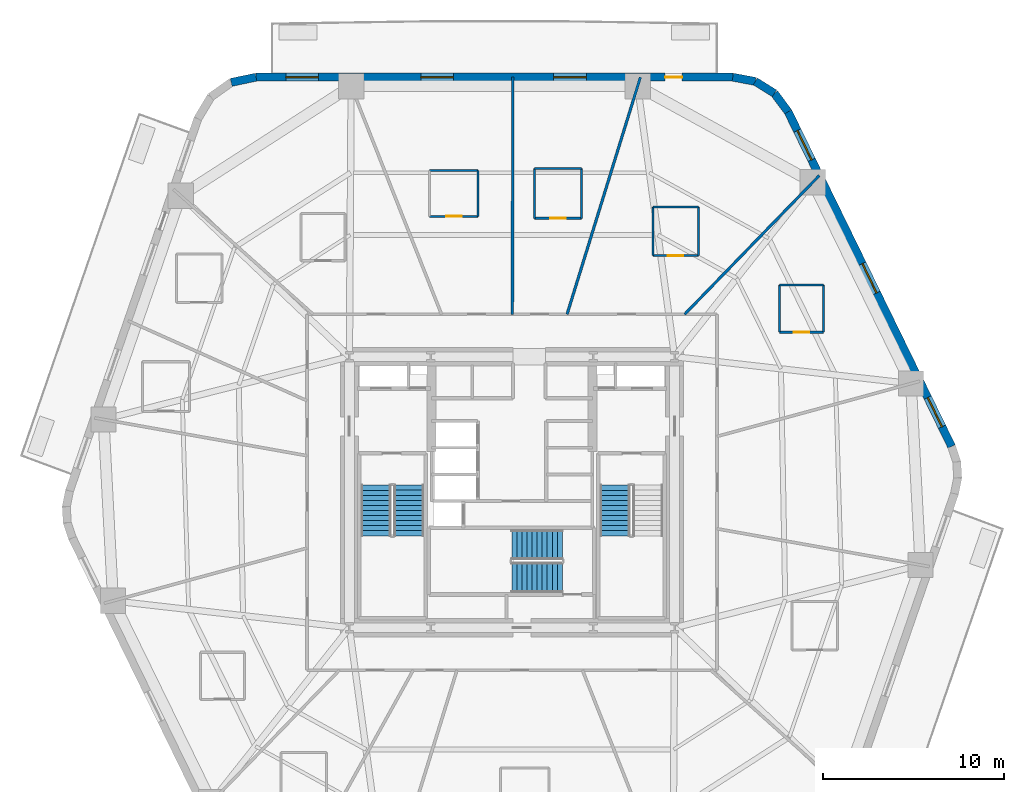
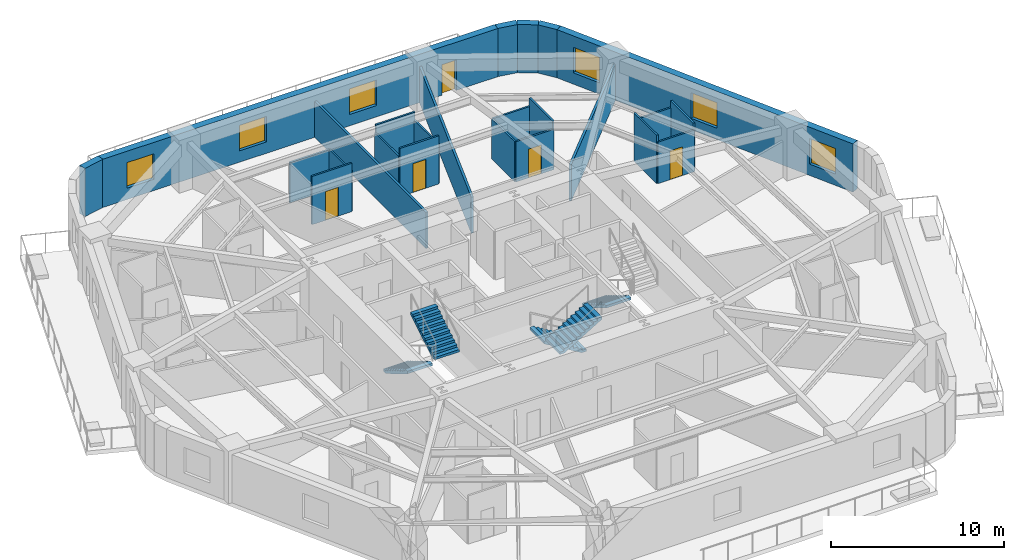
# One storey, part 6 of 10: 24 walls, 6 windows, 5 doors, 5 stair flights, 11 openings, 3 elements without a shape of their own.
"""IFC4 building model written with IfcOpenShell, lengths in metres."""

from ifc_helpers import new_model, si_unit, direction, frame, frame_2d, origin, place, context, subcontext, project, spatial, polyline, rectangle, outline, extrude, material, layer, layer_set, type_object, element, fill, aggregate, save


model = new_model("IFC4")

# Units and contexts
model_context = context("Model", 3, precision=1e-05, world=origin(), true_north=direction((0.0, 1.0)))
body_context = subcontext(model_context, "Body", "Model", "MODEL_VIEW")
ifc_project = project(units=[si_unit("LENGTHUNIT", "METRE"), si_unit("AREAUNIT", "SQUARE_METRE"), si_unit("VOLUMEUNIT", "CUBIC_METRE"), si_unit("PLANEANGLEUNIT", "RADIAN"), si_unit("MASSUNIT", "GRAM", prefix="KILO")], contexts=[model_context])

# Site, building, storey
site_placement = place(None, origin())
site = spatial("IfcSite", under=ifc_project, at=site_placement, CompositionType="ELEMENT")
building_placement = place(site_placement, origin())
building = spatial("IfcBuilding", under=site, at=building_placement, Name="Kilnhurst Terrace Hotel", CompositionType="ELEMENT")
storey_placement = place(building_placement, frame((0.0, 0.0, 71.199951171875)))
storey = spatial("IfcBuildingStorey", under=building, at=storey_placement, Name="L16", CompositionType="ELEMENT", Elevation=71.199951171875)

# Walls
ifc_material_1 = material(Name="Precast concrete C40/50", Category="concrete")
ifc_layer_1 = layer(ifc_material_1, 0.449951171875, Name="Precast concrete C40/50")
ifc_layer_set_1 = layer_set([ifc_layer_1], Name="Precast concrete C40/50")
wall_type_1 = type_object("IfcWallType", Name="WL-BRK-450", PredefinedType="SOLIDWALL", material=ifc_layer_set_1)
wall_1_placement = place(storey_placement, frame((15.28369140625, 21.0625, 0.0), z_axis=(0.0, 0.0, 1.0), x_axis=(-0.597595366449, 0.801797841104, 0.0)))
element("IfcWall", 1, at=wall_1_placement, inside=storey, type_object=wall_type_1, Name="L16 Rounded Corner Brick Wall C4.1", PredefinedType="SOLIDWALL", context=body_context, shape_type="SweptSolid", body=[
    extrude(rectangle(XDim=1.2685546875, YDim=0.449951171875, at=frame_2d((0.63427734375, 0.0))), origin(), (0.0, 0.0, 1.0), 3.400146484375),
])
wall_2_placement = place(storey_placement, frame((14.525634765625, 22.07958984375, 0.0), z_axis=(0.0, 0.0, 1.0), x_axis=(-0.848185203596, 0.529699783275, 0.0)))
element("IfcWall", 2, at=wall_2_placement, inside=storey, type_object=wall_type_1, Name="L16 Rounded Corner Brick Wall C4.2", PredefinedType="SOLIDWALL", context=body_context, shape_type="SweptSolid", body=[
    extrude(rectangle(XDim=1.247314453125, YDim=0.449951171875, at=frame_2d((0.62353515625, 0.0))), origin(), (0.0, 0.0, 1.0), 3.400146484375),
])
wall_3_placement = place(storey_placement, frame((13.4677734375, 22.740234375, 0.0), z_axis=(0.0, 0.0, 1.0), x_axis=(-0.982717174228, 0.185113358451, 0.0)))
element("IfcWall", 3, at=wall_3_placement, inside=storey, type_object=wall_type_1, Name="L16 Rounded Corner Brick Wall C4.3", PredefinedType="SOLIDWALL", context=body_context, shape_type="SweptSolid", body=[
    extrude(rectangle(XDim=1.268798828125, YDim=0.449951171875, at=frame_2d((0.63427734375, 0.0))), origin(), (0.0, 0.0, 1.0), 3.400146484375),
])
wall_4_placement = place(storey_placement, frame((-14.168212890625, 22.97509765625, 0.0), z_axis=(0.0, 0.0, 1.0), x_axis=(-0.978770371074, -0.204959900243, 0.0)))
element("IfcWall", 4, at=wall_4_placement, inside=storey, type_object=wall_type_1, Name="L16 Rounded Corner Brick Wall C5.1", PredefinedType="SOLIDWALL", context=body_context, shape_type="SweptSolid", body=[
    extrude(rectangle(XDim=1.405517578125, YDim=0.449951171875, at=frame_2d((0.70263671875, 0.0))), origin(), (0.0, 0.0, 1.0), 3.400146484375),
])

# Wall, openings, windows
wall_5_placement = place(storey_placement, frame((24.335693359375, 2.532470703125, 0.0), z_axis=(0.0, 0.0, 1.0), x_axis=(-0.438931326393, 0.898520612291, 0.0)))
wall_5 = element("IfcWall", 5, at=wall_5_placement, inside=storey, type_object=wall_type_1, Name="L16 Exterior Brick Facade Wall F3", PredefinedType="SOLIDWALL", context=body_context, shape_type="SweptSolid", body=[
    extrude(rectangle(XDim=20.622802734375, YDim=0.449951171875, at=frame_2d((10.3115234375, 0.0))), origin(), (0.0, 0.0, 1.0), 3.400146484375),
])
opening_1_placement = place(wall_5_placement, frame((9.4619140625, 0.0, 0.800048828125)))
opening_1 = element("IfcOpeningElement", 6, at=opening_1_placement, cuts=wall_5, Name="Opening W-01", PredefinedType="OPENING", context=body_context, shape_type="SweptSolid", body=[
    extrude(rectangle(XDim=1.800048828125, YDim=1.800048828125, at=frame_2d((0.89990234375, 0.89990234375))), frame((0.0, 0.23486328125, 0.0), z_axis=(0.0, -1.0, 0.0), x_axis=(1.0, 0.0, 0.0)), (0.0, 0.0, 1.0), 0.469970703125),
])
opening_2_placement = place(wall_5_placement, frame((17.659912109375, 0.0, 0.800048828125)))
opening_2 = element("IfcOpeningElement", 7, at=opening_2_placement, cuts=wall_5, Name="Opening W-01", PredefinedType="OPENING", context=body_context, shape_type="SweptSolid", body=[
    extrude(rectangle(XDim=1.800048828125, YDim=1.800048828125, at=frame_2d((0.89990234375, 0.89990234375))), frame((0.0, 0.23486328125, 0.0), z_axis=(0.0, -1.0, 0.0), x_axis=(1.0, 0.0, 0.0)), (0.0, 0.0, 1.0), 0.469970703125),
])
opening_3_placement = place(wall_5_placement, frame((1.214111328125, 0.0, 0.800048828125)))
opening_3 = element("IfcOpeningElement", 8, at=opening_3_placement, cuts=wall_5, Name="Opening W-01", PredefinedType="OPENING", context=body_context, shape_type="SweptSolid", body=[
    extrude(rectangle(XDim=1.800048828125, YDim=1.800048828125, at=frame_2d((0.89990234375, 0.89990234375))), frame((0.0, 0.23486328125, 0.0), z_axis=(0.0, -1.0, 0.0), x_axis=(1.0, 0.0, 0.0)), (0.0, 0.0, 1.0), 0.469970703125),
])
ifc_material_2 = material(Name="Thermally Broken Bronze Aluminium Alloy 6063-T6 and Low-E Glass", Category="aluminium")
window_type = type_object("IfcWindowType", Name="WIN-1800X1800", PartitioningType="SINGLE_PANEL", PredefinedType="WINDOW", material=ifc_material_2)
window_1_placement = place(opening_1_placement, origin())
window_1 = element("IfcWindow", 9, at=window_1_placement, inside=storey, type_object=window_type, Name="L16 Deep-Set Masonry Window F3.1", OverallHeight=1.800048828125, OverallWidth=1.800048828125, PartitioningType="SINGLE_PANEL", PredefinedType="WINDOW", context=body_context, shape_type="SweptSolid", body=[
    extrude(rectangle(XDim=1.800048828125, YDim=1.800048828125, at=frame_2d((0.89990234375, 0.89990234375))), frame((0.0, 0.030029296875, 0.0), z_axis=(0.0, -1.0, 0.0), x_axis=(1.0, 0.0, 0.0)), (0.0, 0.0, 1.0), 0.06005859375),
])
fill(opening_1, window_1)
window_2_placement = place(opening_2_placement, origin())
window_2 = element("IfcWindow", 10, at=window_2_placement, inside=storey, type_object=window_type, Name="L16 Deep-Set Masonry Window F3.2", OverallHeight=1.800048828125, OverallWidth=1.800048828125, PartitioningType="SINGLE_PANEL", PredefinedType="WINDOW", context=body_context, shape_type="SweptSolid", body=[
    extrude(rectangle(XDim=1.800048828125, YDim=1.800048828125, at=frame_2d((0.89990234375, 0.89990234375))), frame((0.0, 0.030029296875, 0.0), z_axis=(0.0, -1.0, 0.0), x_axis=(1.0, 0.0, 0.0)), (0.0, 0.0, 1.0), 0.06005859375),
])
fill(opening_2, window_2)
window_3_placement = place(opening_3_placement, origin())
window_3 = element("IfcWindow", 11, at=window_3_placement, inside=storey, type_object=window_type, Name="L16 Deep-Set Masonry Window F3.3", OverallHeight=1.800048828125, OverallWidth=1.800048828125, PartitioningType="SINGLE_PANEL", PredefinedType="WINDOW", context=body_context, shape_type="SweptSolid", body=[
    extrude(rectangle(XDim=1.800048828125, YDim=1.800048828125, at=frame_2d((0.89990234375, 0.89990234375))), frame((0.0, 0.030029296875, 0.0), z_axis=(0.0, -1.0, 0.0), x_axis=(1.0, 0.0, 0.0)), (0.0, 0.0, 1.0), 0.06005859375),
])
fill(opening_3, window_3)

# Wall, openings, door, windows
wall_6_placement = place(storey_placement, frame((12.220947265625, 22.97509765625, 0.0), z_axis=(0.0, 0.0, 1.0), x_axis=(-1.0, 0.0, 0.0)))
wall_6 = element("IfcWall", 12, at=wall_6_placement, inside=storey, type_object=wall_type_1, Name="L16 Exterior Brick Facade Wall F4", PredefinedType="SOLIDWALL", context=body_context, shape_type="SweptSolid", body=[
    extrude(rectangle(XDim=26.38916015625, YDim=0.449951171875, at=frame_2d((13.194580078125, 0.0))), origin(), (0.0, 0.0, 1.0), 3.400146484375),
])
opening_4_placement = place(wall_6_placement, frame((2.799072265625, 0.0, 0.0)))
opening_4 = element("IfcOpeningElement", 13, at=opening_4_placement, cuts=wall_6, Name="Opening BD-950", PredefinedType="OPENING", context=body_context, shape_type="SweptSolid", body=[
    extrude(rectangle(XDim=0.949951171875, YDim=2.14990234375, at=frame_2d((0.47509765625, 1.074951171875))), frame((0.0, 0.23486328125, 0.0), z_axis=(0.0, -1.0, 0.0), x_axis=(1.0, 0.0, 0.0)), (0.0, 0.0, 1.0), 0.469970703125),
])
opening_5_placement = place(wall_6_placement, frame((8.110107421875, 0.0, 0.800048828125)))
opening_5 = element("IfcOpeningElement", 14, at=opening_5_placement, cuts=wall_6, Name="Opening W-01", PredefinedType="OPENING", context=body_context, shape_type="SweptSolid", body=[
    extrude(rectangle(XDim=1.800048828125, YDim=1.800048828125, at=frame_2d((0.89990234375, 0.89990234375))), frame((0.0, 0.23486328125, 0.0), z_axis=(0.0, -1.0, 0.0), x_axis=(1.0, 0.0, 0.0)), (0.0, 0.0, 1.0), 0.469970703125),
])
opening_6_placement = place(wall_6_placement, frame((15.4599609375, 0.0, 0.800048828125)))
opening_6 = element("IfcOpeningElement", 15, at=opening_6_placement, cuts=wall_6, Name="Opening W-01", PredefinedType="OPENING", context=body_context, shape_type="SweptSolid", body=[
    extrude(rectangle(XDim=1.800048828125, YDim=1.800048828125, at=frame_2d((0.89990234375, 0.89990234375))), frame((0.0, 0.23486328125, 0.0), z_axis=(0.0, -1.0, 0.0), x_axis=(1.0, 0.0, 0.0)), (0.0, 0.0, 1.0), 0.469970703125),
])
opening_7_placement = place(wall_6_placement, frame((22.93798828125, 0.0, 0.800048828125)))
opening_7 = element("IfcOpeningElement", 16, at=opening_7_placement, cuts=wall_6, Name="Opening W-01", PredefinedType="OPENING", context=body_context, shape_type="SweptSolid", body=[
    extrude(rectangle(XDim=1.800048828125, YDim=1.800048828125, at=frame_2d((0.89990234375, 0.89990234375))), frame((0.0, 0.23486328125, 0.0), z_axis=(0.0, -1.0, 0.0), x_axis=(1.0, 0.0, 0.0)), (0.0, 0.0, 1.0), 0.469970703125),
])
ifc_material_3 = material(Name="Thermally Broken Bronze Aluminium Alloy 6063-T6 and Laminated Glass", Category="aluminium")
door_type_1 = type_object("IfcDoorType", Name="DR-EXT-BAL-950", OperationType="NOTDEFINED", PredefinedType="DOOR", material=ifc_material_3)
door_1_placement = place(opening_4_placement, origin())
door_1 = element("IfcDoor", 17, at=door_1_placement, inside=storey, type_object=door_type_1, Name="L16 Planted Balcony Door BAL-L2A", OperationType="SINGLE_SWING_RIGHT", OverallHeight=2.14990234375, OverallWidth=0.949951171875, PredefinedType="DOOR", context=body_context, shape_type="SweptSolid", body=[
    extrude(rectangle(XDim=0.949951171875, YDim=2.14990234375, at=frame_2d((0.47509765625, 1.074951171875))), frame((0.0, 0.02490234375, 0.0), z_axis=(0.0, -1.0, 0.0), x_axis=(1.0, 0.0, 0.0)), (0.0, 0.0, 1.0), 0.050048828125),
])
fill(opening_4, door_1)
window_4_placement = place(opening_5_placement, origin())
window_4 = element("IfcWindow", 18, at=window_4_placement, inside=storey, type_object=window_type, Name="L16 Deep-Set Masonry Window F4.1", OverallHeight=1.800048828125, OverallWidth=1.800048828125, PartitioningType="SINGLE_PANEL", PredefinedType="WINDOW", context=body_context, shape_type="SweptSolid", body=[
    extrude(rectangle(XDim=1.800048828125, YDim=1.800048828125, at=frame_2d((0.89990234375, 0.89990234375))), frame((0.0, 0.030029296875, 0.0), z_axis=(0.0, -1.0, 0.0), x_axis=(1.0, 0.0, 0.0)), (0.0, 0.0, 1.0), 0.06005859375),
])
fill(opening_5, window_4)
window_5_placement = place(opening_6_placement, origin())
window_5 = element("IfcWindow", 19, at=window_5_placement, inside=storey, type_object=window_type, Name="L16 Deep-Set Masonry Window F4.2", OverallHeight=1.800048828125, OverallWidth=1.800048828125, PartitioningType="SINGLE_PANEL", PredefinedType="WINDOW", context=body_context, shape_type="SweptSolid", body=[
    extrude(rectangle(XDim=1.800048828125, YDim=1.800048828125, at=frame_2d((0.89990234375, 0.89990234375))), frame((0.0, 0.030029296875, 0.0), z_axis=(0.0, -1.0, 0.0), x_axis=(1.0, 0.0, 0.0)), (0.0, 0.0, 1.0), 0.06005859375),
])
fill(opening_6, window_5)
window_6_placement = place(opening_7_placement, origin())
window_6 = element("IfcWindow", 20, at=window_6_placement, inside=storey, type_object=window_type, Name="L16 Deep-Set Masonry Window F4.3", OverallHeight=1.800048828125, OverallWidth=1.800048828125, PartitioningType="SINGLE_PANEL", PredefinedType="WINDOW", context=body_context, shape_type="SweptSolid", body=[
    extrude(rectangle(XDim=1.800048828125, YDim=1.800048828125, at=frame_2d((0.89990234375, 0.89990234375))), frame((0.0, 0.030029296875, 0.0), z_axis=(0.0, -1.0, 0.0), x_axis=(1.0, 0.0, 0.0)), (0.0, 0.0, 1.0), 0.06005859375),
])
fill(opening_7, window_6)

# Walls
ifc_material_4 = material(Name="STC-58 Acoustic Twin-Frame Guestroom Demising Partition")
ifc_layer_2 = layer(ifc_material_4, 0.14990234375, Name="STC-58 Acoustic Twin-Frame Guestroom Demising Partition")
ifc_layer_set_2 = layer_set([ifc_layer_2], Name="STC-58 Acoustic Twin-Frame Guestroom Demising Partition")
wall_type_2 = type_object("IfcWallType", Name="WL-DEM-150", PredefinedType="PARTITIONING", material=ifc_layer_set_2)
wall_7_placement = place(storey_placement, frame((9.5576171875, 9.85009765625, 0.0), z_axis=(0.0, 0.0, 1.0), x_axis=(0.69638346089, 0.717669893056, 0.0)))
element("IfcWall", 21, at=wall_7_placement, inside=storey, type_object=wall_type_2, Name="L16 Interior Wall WL-L16-DEM-COL02-02-1", PredefinedType="PARTITIONING", context=body_context, shape_type="SweptSolid", body=[
    extrude(rectangle(XDim=10.700927734375, YDim=0.14990234375, at=frame_2d((5.3505859375, 0.0))), origin(), (0.0, 0.0, 1.0), 2.5400390625),
])
wall_8_placement = place(storey_placement, frame((3.047607421875, 9.85009765625, 0.0), z_axis=(0.0, 0.0, 1.0), x_axis=(0.295553992761, 0.955326037206, 0.0)))
element("IfcWall", 22, at=wall_8_placement, inside=storey, type_object=wall_type_2, Name="L16 Interior Wall WL-L16-DEM-COL03-03-1", PredefinedType="PARTITIONING", context=body_context, shape_type="SweptSolid", body=[
    extrude(rectangle(XDim=13.73876953125, YDim=0.14990234375, at=frame_2d((6.869384765625, 0.0))), origin(), (0.0, 0.0, 1.0), 2.5400390625),
])
wall_9_placement = place(storey_placement, frame((0.0205078125, 9.85009765625, 0.0), z_axis=(0.0, 0.0, 1.0), x_axis=(0.002064727742, 0.999997868447, 0.0)))
element("IfcWall", 23, at=wall_9_placement, inside=storey, type_object=wall_type_2, Name="L16 Interior Wall WL-L16-DEM-MID03-04-1", PredefinedType="PARTITIONING", context=body_context, shape_type="SweptSolid", body=[
    extrude(rectangle(XDim=13.125, YDim=0.14990234375, at=frame_2d((6.5625, 0.0))), origin(), (0.0, 0.0, 1.0), 2.5400390625),
])

# Wall, opening, door
ifc_material_5 = material(Name="120 mm Moisture-Resistant Tile-Backed Bathroom Partition")
ifc_layer_3 = layer(ifc_material_5, 0.1201171875, Name="120 mm Moisture-Resistant Tile-Backed Bathroom Partition")
ifc_layer_set_3 = layer_set([ifc_layer_3], Name="120 mm Moisture-Resistant Tile-Backed Bathroom Partition")
wall_type_3 = type_object("IfcWallType", Name="WL-PART-120", PredefinedType="PARTITIONING", material=ifc_layer_set_3)
wall_10_placement = place(storey_placement, frame((14.803955078125, 8.860107421875, 0.0), z_axis=(0.0, 0.0, 1.0), x_axis=(1.0, 0.0, 0.0)))
wall_10 = element("IfcWall", 24, at=wall_10_placement, inside=storey, type_object=wall_type_3, Name="L16 Interior Wall WL-L16-BTH-01-1", PredefinedType="PARTITIONING", context=body_context, shape_type="SweptSolid", body=[
    extrude(rectangle(XDim=2.43994140625, YDim=0.1201171875, at=frame_2d((1.219970703125, 0.0))), origin(), (0.0, 0.0, 1.0), 2.926513671875),
])
opening_8_placement = place(wall_10_placement, frame((0.794921875, 0.0, 0.0)))
opening_8 = element("IfcOpeningElement", 25, at=opening_8_placement, cuts=wall_10, Name="Opening D-08A", PredefinedType="OPENING", context=body_context, shape_type="SweptSolid", body=[
    extrude(rectangle(XDim=0.85009765625, YDim=2.030029296875, at=frame_2d((0.425048828125, 1.01513671875))), frame((0.0, 0.070068359375, 0.0), z_axis=(0.0, -1.0, 0.0), x_axis=(1.0, 0.0, 0.0)), (0.0, 0.0, 1.0), 0.14013671875),
])
ifc_material_6 = material(Name="Moisture-Resistant Lacquered En-suite Bathroom Door")
door_type_2 = type_object("IfcDoorType", Name="DR-INT-850", OperationType="NOTDEFINED", PredefinedType="DOOR", material=ifc_material_6)
door_2_placement = place(opening_8_placement, origin())
door_2 = element("IfcDoor", 26, at=door_2_placement, inside=storey, type_object=door_type_2, Name="L16 En-suite Bathroom Door 1", OperationType="SINGLE_SWING_RIGHT", OverallHeight=2.030029296875, OverallWidth=0.85009765625, PredefinedType="DOOR", context=body_context, shape_type="SweptSolid", body=[
    extrude(rectangle(XDim=0.85009765625, YDim=2.030029296875, at=frame_2d((0.425048828125, 1.01513671875))), frame((0.0, 0.02490234375, 0.0), z_axis=(0.0, -1.0, 0.0), x_axis=(1.0, 0.0, 0.0)), (0.0, 0.0, 1.0), 0.050048828125),
])
fill(opening_8, door_2)

# Walls
wall_11_placement = place(storey_placement, frame((17.243896484375, 8.860107421875, 0.0), z_axis=(0.0, 0.0, 1.0), x_axis=(0.0, 1.0, 0.0)))
element("IfcWall", 27, at=wall_11_placement, inside=storey, type_object=wall_type_3, Name="L16 Interior Wall WL-L16-BTH-01-2", PredefinedType="PARTITIONING", context=body_context, shape_type="SweptSolid", body=[
    extrude(rectangle(XDim=2.60986328125, YDim=0.1201171875, at=frame_2d((1.304931640625, 0.0))), origin(), (0.0, 0.0, 1.0), 3.400146484375),
])
wall_12_placement = place(storey_placement, frame((17.243896484375, 11.469970703125, 0.0), z_axis=(0.0, 0.0, 1.0), x_axis=(-1.0, 0.0, 0.0)))
element("IfcWall", 28, at=wall_12_placement, inside=storey, type_object=wall_type_3, Name="L16 Interior Wall WL-L16-BTH-01-3", PredefinedType="PARTITIONING", context=body_context, shape_type="SweptSolid", body=[
    extrude(rectangle(XDim=2.43994140625, YDim=0.1201171875, at=frame_2d((1.219970703125, 0.0))), origin(), (0.0, 0.0, 1.0), 2.926513671875),
])
wall_13_placement = place(storey_placement, frame((14.803955078125, 11.469970703125, 0.0), z_axis=(0.0, 0.0, 1.0), x_axis=(0.0, -1.0, 0.0)))
element("IfcWall", 29, at=wall_13_placement, inside=storey, type_object=wall_type_3, Name="L16 Interior Wall WL-L16-BTH-01-4", PredefinedType="PARTITIONING", context=body_context, shape_type="SweptSolid", body=[
    extrude(rectangle(XDim=2.60986328125, YDim=0.1201171875, at=frame_2d((1.304931640625, 0.0))), origin(), (0.0, 0.0, 1.0), 3.400146484375),
])

# Wall, opening, door
wall_14_placement = place(storey_placement, frame((7.798095703125, 13.10107421875, 0.0), z_axis=(0.0, 0.0, 1.0), x_axis=(1.0, 0.0, 0.0)))
wall_14 = element("IfcWall", 30, at=wall_14_placement, inside=storey, type_object=wall_type_3, Name="L16 Interior Wall WL-L16-BTH-02-1", PredefinedType="PARTITIONING", context=body_context, shape_type="SweptSolid", body=[
    extrude(rectangle(XDim=2.52001953125, YDim=0.1201171875, at=frame_2d((1.260009765625, 0.0))), origin(), (0.0, 0.0, 1.0), 2.840087890625),
])
opening_9_placement = place(wall_14_placement, frame((0.8349609375, 0.0, 0.0)))
opening_9 = element("IfcOpeningElement", 31, at=opening_9_placement, cuts=wall_14, Name="Opening D-08A", PredefinedType="OPENING", context=body_context, shape_type="SweptSolid", body=[
    extrude(rectangle(XDim=0.85009765625, YDim=2.030029296875, at=frame_2d((0.425048828125, 1.01513671875))), frame((0.0, 0.070068359375, 0.0), z_axis=(0.0, -1.0, 0.0), x_axis=(1.0, 0.0, 0.0)), (0.0, 0.0, 1.0), 0.14013671875),
])
door_3_placement = place(opening_9_placement, origin())
door_3 = element("IfcDoor", 32, at=door_3_placement, inside=storey, type_object=door_type_2, Name="L16 En-suite Bathroom Door 2", OperationType="SINGLE_SWING_LEFT", OverallHeight=2.030029296875, OverallWidth=0.85009765625, PredefinedType="DOOR", context=body_context, shape_type="SweptSolid", body=[
    extrude(rectangle(XDim=0.85009765625, YDim=2.030029296875, at=frame_2d((0.425048828125, 1.01513671875))), frame((0.0, 0.02490234375, 0.0), z_axis=(0.0, -1.0, 0.0), x_axis=(1.0, 0.0, 0.0)), (0.0, 0.0, 1.0), 0.050048828125),
])
fill(opening_9, door_3)

# Walls
wall_15_placement = place(storey_placement, frame((10.318115234375, 13.10107421875, 0.0), z_axis=(0.0, 0.0, 1.0), x_axis=(0.0, 1.0, 0.0)))
element("IfcWall", 33, at=wall_15_placement, inside=storey, type_object=wall_type_3, Name="L16 Interior Wall WL-L16-BTH-02-2", PredefinedType="PARTITIONING", context=body_context, shape_type="SweptSolid", body=[
    extrude(rectangle(XDim=2.679931640625, YDim=0.1201171875, at=frame_2d((1.33984375, 0.0))), origin(), (0.0, 0.0, 1.0), 3.400146484375),
])
wall_16_placement = place(storey_placement, frame((10.318115234375, 15.781005859375, 0.0), z_axis=(0.0, 0.0, 1.0), x_axis=(-1.0, 0.0, 0.0)))
element("IfcWall", 34, at=wall_16_placement, inside=storey, type_object=wall_type_3, Name="L16 Interior Wall WL-L16-BTH-02-3", PredefinedType="PARTITIONING", context=body_context, shape_type="SweptSolid", body=[
    extrude(rectangle(XDim=2.52001953125, YDim=0.1201171875, at=frame_2d((1.260009765625, 0.0))), origin(), (0.0, 0.0, 1.0), 2.840087890625),
])
wall_17_placement = place(storey_placement, frame((7.798095703125, 15.781005859375, 0.0), z_axis=(0.0, 0.0, 1.0), x_axis=(0.0, -1.0, 0.0)))
element("IfcWall", 35, at=wall_17_placement, inside=storey, type_object=wall_type_3, Name="L16 Interior Wall WL-L16-BTH-02-4", PredefinedType="PARTITIONING", context=body_context, shape_type="SweptSolid", body=[
    extrude(rectangle(XDim=2.679931640625, YDim=0.1201171875, at=frame_2d((1.33984375, 0.0))), origin(), (0.0, 0.0, 1.0), 2.840087890625),
])

# Wall, opening, door
wall_18_placement = place(storey_placement, frame((1.2509765625, 15.162109375, 0.0), z_axis=(0.0, 0.0, 1.0), x_axis=(1.0, 0.0, 0.0)))
wall_18 = element("IfcWall", 36, at=wall_18_placement, inside=storey, type_object=wall_type_3, Name="L16 Interior Wall WL-L16-BTH-03-1", PredefinedType="PARTITIONING", context=body_context, shape_type="SweptSolid", body=[
    extrude(rectangle(XDim=2.60009765625, YDim=0.1201171875, at=frame_2d((1.300048828125, 0.0))), origin(), (0.0, 0.0, 1.0), 3.400146484375),
])
opening_10_placement = place(wall_18_placement, frame((0.875, 0.0, 0.0)))
opening_10 = element("IfcOpeningElement", 37, at=opening_10_placement, cuts=wall_18, Name="Opening D-08A", PredefinedType="OPENING", context=body_context, shape_type="SweptSolid", body=[
    extrude(rectangle(XDim=0.85009765625, YDim=2.030029296875, at=frame_2d((0.425048828125, 1.01513671875))), frame((0.0, 0.070068359375, 0.0), z_axis=(0.0, -1.0, 0.0), x_axis=(1.0, 0.0, 0.0)), (0.0, 0.0, 1.0), 0.14013671875),
])
door_4_placement = place(opening_10_placement, origin())
door_4 = element("IfcDoor", 38, at=door_4_placement, inside=storey, type_object=door_type_2, Name="L16 En-suite Bathroom Door 3", OperationType="SINGLE_SWING_RIGHT", OverallHeight=2.030029296875, OverallWidth=0.85009765625, PredefinedType="DOOR", context=body_context, shape_type="SweptSolid", body=[
    extrude(rectangle(XDim=0.85009765625, YDim=2.030029296875, at=frame_2d((0.425048828125, 1.01513671875))), frame((0.0, 0.02490234375, 0.0), z_axis=(0.0, -1.0, 0.0), x_axis=(1.0, 0.0, 0.0)), (0.0, 0.0, 1.0), 0.050048828125),
])
fill(opening_10, door_4)

# Walls
wall_19_placement = place(storey_placement, frame((3.85107421875, 15.162109375, 0.0), z_axis=(0.0, 0.0, 1.0), x_axis=(0.0, 1.0, 0.0)))
element("IfcWall", 39, at=wall_19_placement, inside=storey, type_object=wall_type_3, Name="L16 Interior Wall WL-L16-BTH-03-2", PredefinedType="PARTITIONING", context=body_context, shape_type="SweptSolid", body=[
    extrude(rectangle(XDim=2.75, YDim=0.1201171875, at=frame_2d((1.375, 0.0))), origin(), (0.0, 0.0, 1.0), 2.84033203125),
])
wall_20_placement = place(storey_placement, frame((3.85107421875, 17.912109375, 0.0), z_axis=(0.0, 0.0, 1.0), x_axis=(-1.0, 0.0, 0.0)))
element("IfcWall", 40, at=wall_20_placement, inside=storey, type_object=wall_type_3, Name="L16 Interior Wall WL-L16-BTH-03-3", PredefinedType="PARTITIONING", context=body_context, shape_type="SweptSolid", body=[
    extrude(rectangle(XDim=2.60009765625, YDim=0.1201171875, at=frame_2d((1.300048828125, 0.0))), origin(), (0.0, 0.0, 1.0), 3.400146484375),
])
wall_21_placement = place(storey_placement, frame((1.2509765625, 17.912109375, 0.0), z_axis=(0.0, 0.0, 1.0), x_axis=(0.0, -1.0, 0.0)))
element("IfcWall", 41, at=wall_21_placement, inside=storey, type_object=wall_type_3, Name="L16 Interior Wall WL-L16-BTH-03-4", PredefinedType="PARTITIONING", context=body_context, shape_type="SweptSolid", body=[
    extrude(rectangle(XDim=2.75, YDim=0.1201171875, at=frame_2d((1.375, 0.0))), origin(), (0.0, 0.0, 1.0), 2.84033203125),
])

# Wall, opening, door
wall_22_placement = place(storey_placement, frame((-4.55908203125, 15.26708984375, 0.0), z_axis=(0.0, 0.0, 1.0), x_axis=(1.0, 0.0, 0.0)))
wall_22 = element("IfcWall", 42, at=wall_22_placement, inside=storey, type_object=wall_type_3, Name="L16 Interior Wall WL-L16-BTH-04-1", PredefinedType="PARTITIONING", context=body_context, shape_type="SweptSolid", body=[
    extrude(rectangle(XDim=2.68017578125, YDim=0.1201171875, at=frame_2d((1.340087890625, 0.0))), origin(), (0.0, 0.0, 1.0), 3.400146484375),
])
opening_11_placement = place(wall_22_placement, frame((0.9150390625, 0.0, 0.0)))
opening_11 = element("IfcOpeningElement", 43, at=opening_11_placement, cuts=wall_22, Name="Opening D-08A", PredefinedType="OPENING", context=body_context, shape_type="SweptSolid", body=[
    extrude(rectangle(XDim=0.85009765625, YDim=2.030029296875, at=frame_2d((0.425048828125, 1.01513671875))), frame((0.0, 0.070068359375, 0.0), z_axis=(0.0, -1.0, 0.0), x_axis=(1.0, 0.0, 0.0)), (0.0, 0.0, 1.0), 0.14013671875),
])
door_5_placement = place(opening_11_placement, origin())
door_5 = element("IfcDoor", 44, at=door_5_placement, inside=storey, type_object=door_type_2, Name="L16 En-suite Bathroom Door 4", OperationType="SINGLE_SWING_LEFT", OverallHeight=2.030029296875, OverallWidth=0.85009765625, PredefinedType="DOOR", context=body_context, shape_type="SweptSolid", body=[
    extrude(rectangle(XDim=0.85009765625, YDim=2.030029296875, at=frame_2d((0.425048828125, 1.01513671875))), frame((0.0, 0.02490234375, 0.0), z_axis=(0.0, -1.0, 0.0), x_axis=(1.0, 0.0, 0.0)), (0.0, 0.0, 1.0), 0.050048828125),
])
fill(opening_11, door_5)

# Walls
wall_23_placement = place(storey_placement, frame((-1.87890625, 15.26708984375, 0.0), z_axis=(0.0, 0.0, 1.0), x_axis=(0.0, 1.0, 0.0)))
element("IfcWall", 45, at=wall_23_placement, inside=storey, type_object=wall_type_3, Name="L16 Interior Wall WL-L16-BTH-04-2", PredefinedType="PARTITIONING", context=body_context, shape_type="SweptSolid", body=[
    extrude(rectangle(XDim=2.539794921875, YDim=0.1201171875, at=frame_2d((1.27001953125, 0.0))), origin(), (0.0, 0.0, 1.0), 2.84033203125),
])
wall_24_placement = place(storey_placement, frame((-1.87890625, 17.806884765625, 0.0), z_axis=(0.0, 0.0, 1.0), x_axis=(-1.0, 0.0, 0.0)))
element("IfcWall", 46, at=wall_24_placement, inside=storey, type_object=wall_type_3, Name="L16 Interior Wall WL-L16-BTH-04-3", PredefinedType="PARTITIONING", context=body_context, shape_type="SweptSolid", body=[
    extrude(rectangle(XDim=2.68017578125, YDim=0.1201171875, at=frame_2d((1.340087890625, 0.0))), origin(), (0.0, 0.0, 1.0), 2.84033203125),
])

# Stair, stair flights
ifc_material_7 = material(Name="Concrete C50/60", Category="concrete")
stair_type = type_object("IfcStairType", Name="STR-CORE-1660", PredefinedType="HALF_TURN_STAIR", material=ifc_material_7)
stair_1_placement = place(storey_placement, origin())
stair_1 = element("IfcStair", 47, at=stair_1_placement, inside=storey, type_object=stair_type, Name="L16 ST-1", PredefinedType="HALF_TURN_STAIR")
stair_flight_type = type_object("IfcStairFlightType", Name="FLT-RC-1660", PredefinedType="STRAIGHT", material=ifc_material_7)
stair_flight_1_placement = place(storey_placement, frame((-7.52001953125, 0.389892578125, 0.0), z_axis=(0.0, 0.0, 1.0), x_axis=(0.0, -1.0, 0.0)))
stair_flight_1 = element("IfcStairFlight", 48, at=stair_flight_1_placement, type_object=stair_flight_type, Name="ST-1 flight 1", NumberOfRisers=11, NumberOfTreads=10, PredefinedType="STRAIGHT", RiserHeight=0.168181818, TreadLength=0.28, context=body_context, shape_type="SweptSolid", body=[
    extrude(outline(polyline([(0.0, 0.0), (0.0, 0.168212890625), (0.280029296875, 0.168212890625), (0.280029296875, 0.33642578125), (0.56005859375, 0.33642578125), (0.56005859375, 0.504638671875), (0.840087890625, 0.504638671875), (0.840087890625, 0.672607421875), (1.1201171875, 0.672607421875), (1.1201171875, 0.8408203125), (1.39990234375, 0.8408203125), (1.39990234375, 1.009033203125), (1.679931640625, 1.009033203125), (1.679931640625, 1.17724609375), (1.9599609375, 1.17724609375), (1.9599609375, 1.345458984375), (2.239990234375, 1.345458984375), (2.239990234375, 1.513671875), (2.52001953125, 1.513671875), (2.52001953125, 1.681884765625), (2.800048828125, 1.681884765625), (2.800048828125, 1.85009765625), (2.800048828125, 1.5068359375), (0.291015625, 0.0), (0.0, 0.0)])), frame((0.0, 0.830078125, 0.0), z_axis=(0.0, -1.0, 0.0), x_axis=(1.0, 0.0, 0.0)), (0.0, 0.0, 1.0), 1.659912109375),
])
stair_flight_2_placement = place(storey_placement, frame((-5.7099609375, -2.409912109375, 1.85009765625), z_axis=(0.0, 0.0, 1.0), x_axis=(0.0, 1.0, 0.0)))
stair_flight_2 = element("IfcStairFlight", 49, at=stair_flight_2_placement, type_object=stair_flight_type, Name="ST-1 flight 2", NumberOfRisers=11, NumberOfTreads=10, PredefinedType="STRAIGHT", RiserHeight=0.168181818, TreadLength=0.28, context=body_context, shape_type="SweptSolid", body=[
    extrude(outline(polyline([(0.0, 0.0), (0.0, 0.168212890625), (0.280029296875, 0.168212890625), (0.280029296875, 0.33642578125), (0.56005859375, 0.33642578125), (0.56005859375, 0.504638671875), (0.840087890625, 0.504638671875), (0.840087890625, 0.672607421875), (1.1201171875, 0.672607421875), (1.1201171875, 0.8408203125), (1.39990234375, 0.8408203125), (1.39990234375, 1.009033203125), (1.679931640625, 1.009033203125), (1.679931640625, 1.17724609375), (1.9599609375, 1.17724609375), (1.9599609375, 1.345458984375), (2.239990234375, 1.345458984375), (2.239990234375, 1.513671875), (2.52001953125, 1.513671875), (2.52001953125, 1.681884765625), (2.800048828125, 1.681884765625), (2.800048828125, 1.85009765625), (2.800048828125, 1.5068359375), (0.291015625, 0.0), (0.0, 0.0)])), frame((0.0, 0.830078125, 0.0), z_axis=(0.0, -1.0, 0.0), x_axis=(1.0, 0.0, 0.0)), (0.0, 0.0, 1.0), 1.659912109375),
])
aggregate(stair_1, [stair_flight_1, stair_flight_2])

# Stair, stair flight
stair_2_placement = place(storey_placement, origin())
stair_2 = element("IfcStair", 50, at=stair_2_placement, inside=storey, type_object=stair_type, Name="L16 ST-2", PredefinedType="HALF_TURN_STAIR")
stair_flight_3_placement = place(storey_placement, frame((5.7099609375, 0.389892578125, 0.0), z_axis=(0.0, 0.0, 1.0), x_axis=(0.0, -1.0, 0.0)))
stair_flight_3 = element("IfcStairFlight", 51, at=stair_flight_3_placement, type_object=stair_flight_type, Name="ST-2 flight 1", NumberOfRisers=11, NumberOfTreads=10, PredefinedType="STRAIGHT", RiserHeight=0.168181818, TreadLength=0.28, context=body_context, shape_type="SweptSolid", body=[
    extrude(outline(polyline([(0.0, 0.0), (0.0, 0.168212890625), (0.280029296875, 0.168212890625), (0.280029296875, 0.33642578125), (0.56005859375, 0.33642578125), (0.56005859375, 0.504638671875), (0.840087890625, 0.504638671875), (0.840087890625, 0.672607421875), (1.1201171875, 0.672607421875), (1.1201171875, 0.8408203125), (1.39990234375, 0.8408203125), (1.39990234375, 1.009033203125), (1.679931640625, 1.009033203125), (1.679931640625, 1.17724609375), (1.9599609375, 1.17724609375), (1.9599609375, 1.345458984375), (2.239990234375, 1.345458984375), (2.239990234375, 1.513671875), (2.52001953125, 1.513671875), (2.52001953125, 1.681884765625), (2.800048828125, 1.681884765625), (2.800048828125, 1.85009765625), (2.800048828125, 1.5068359375), (0.291015625, 0.0), (0.0, 0.0)])), frame((0.0, 0.830078125, 0.0), z_axis=(0.0, -1.0, 0.0), x_axis=(1.0, 0.0, 0.0)), (0.0, 0.0, 1.0), 1.659912109375),
])
aggregate(stair_2, [stair_flight_3])

# Stair, stair flights
stair_3_placement = place(storey_placement, origin())
stair_3 = element("IfcStair", 52, at=stair_3_placement, inside=storey, type_object=stair_type, Name="L16 ST-3", PredefinedType="HALF_TURN_STAIR")
stair_flight_4_placement = place(storey_placement, frame((2.7900390625, -2.909912109375, 0.0), z_axis=(0.0, 0.0, 1.0), x_axis=(-1.0, 0.0, 0.0)))
stair_flight_4 = element("IfcStairFlight", 53, at=stair_flight_4_placement, type_object=stair_flight_type, Name="ST-3 flight 1", NumberOfRisers=11, NumberOfTreads=10, PredefinedType="STRAIGHT", RiserHeight=0.168181818, TreadLength=0.28, context=body_context, shape_type="SweptSolid", body=[
    extrude(outline(polyline([(0.0, 0.0), (0.0, 0.168212890625), (0.280029296875, 0.168212890625), (0.280029296875, 0.33642578125), (0.56005859375, 0.33642578125), (0.56005859375, 0.504638671875), (0.840087890625, 0.504638671875), (0.840087890625, 0.672607421875), (1.1201171875, 0.672607421875), (1.1201171875, 0.8408203125), (1.39990234375, 0.8408203125), (1.39990234375, 1.009033203125), (1.679931640625, 1.009033203125), (1.679931640625, 1.17724609375), (1.9599609375, 1.17724609375), (1.9599609375, 1.345458984375), (2.239990234375, 1.345458984375), (2.239990234375, 1.513671875), (2.52001953125, 1.513671875), (2.52001953125, 1.681884765625), (2.800048828125, 1.681884765625), (2.800048828125, 1.85009765625), (2.800048828125, 1.5068359375), (0.291015625, 0.0), (0.0, 0.0)])), frame((0.0, 0.830078125, 0.0), z_axis=(0.0, -1.0, 0.0), x_axis=(1.0, 0.0, 0.0)), (0.0, 0.0, 1.0), 1.659912109375),
])
stair_flight_5_placement = place(storey_placement, frame((-0.010009765625, -4.719970703125, 1.85009765625), z_axis=(0.0, 0.0, 1.0), x_axis=(1.0, 0.0, 0.0)))
stair_flight_5 = element("IfcStairFlight", 54, at=stair_flight_5_placement, type_object=stair_flight_type, Name="ST-3 flight 2", NumberOfRisers=11, NumberOfTreads=10, PredefinedType="STRAIGHT", RiserHeight=0.168181818, TreadLength=0.28, context=body_context, shape_type="SweptSolid", body=[
    extrude(outline(polyline([(0.0, 0.0), (0.0, 0.168212890625), (0.280029296875, 0.168212890625), (0.280029296875, 0.33642578125), (0.56005859375, 0.33642578125), (0.56005859375, 0.504638671875), (0.840087890625, 0.504638671875), (0.840087890625, 0.672607421875), (1.1201171875, 0.672607421875), (1.1201171875, 0.8408203125), (1.39990234375, 0.8408203125), (1.39990234375, 1.009033203125), (1.679931640625, 1.009033203125), (1.679931640625, 1.17724609375), (1.9599609375, 1.17724609375), (1.9599609375, 1.345458984375), (2.239990234375, 1.345458984375), (2.239990234375, 1.513671875), (2.52001953125, 1.513671875), (2.52001953125, 1.681884765625), (2.800048828125, 1.681884765625), (2.800048828125, 1.85009765625), (2.800048828125, 1.5068359375), (0.291015625, 0.0), (0.0, 0.0)])), frame((0.0, 0.830078125, 0.0), z_axis=(0.0, -1.0, 0.0), x_axis=(1.0, 0.0, 0.0)), (0.0, 0.0, 1.0), 1.659912109375),
])
aggregate(stair_3, [stair_flight_4, stair_flight_5])

save(model, "model.ifc")
